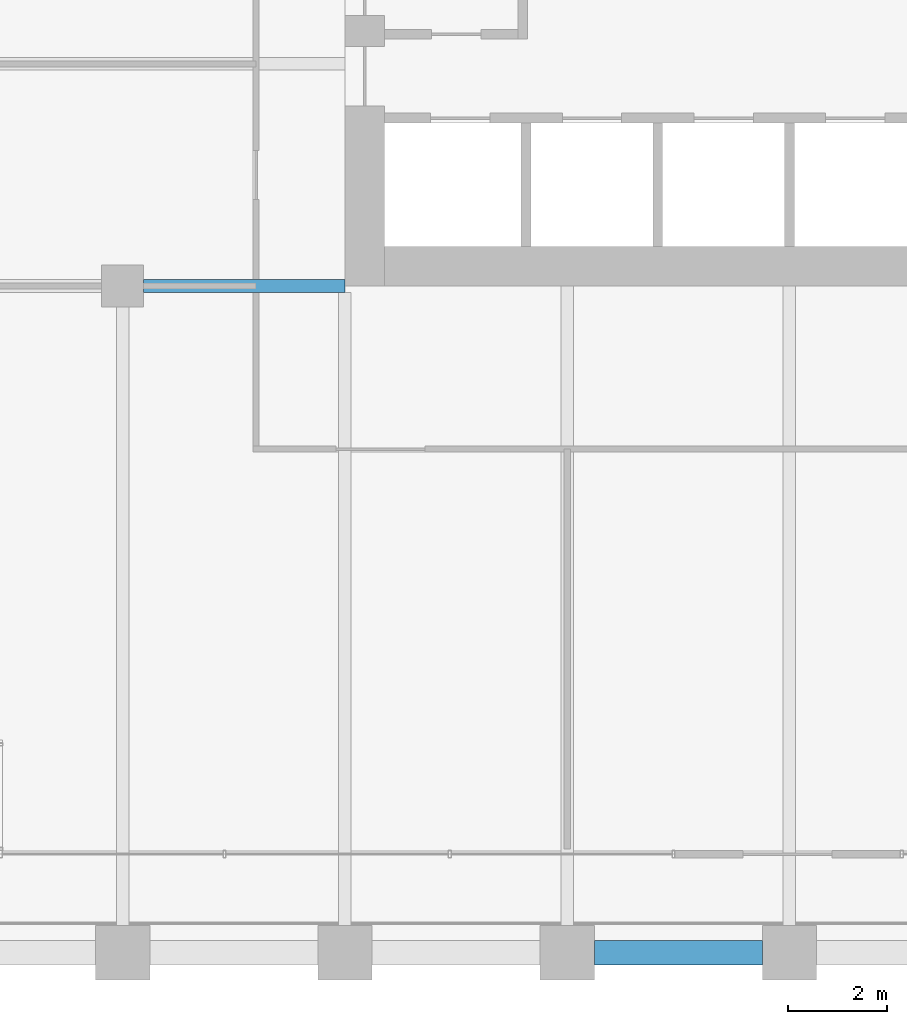
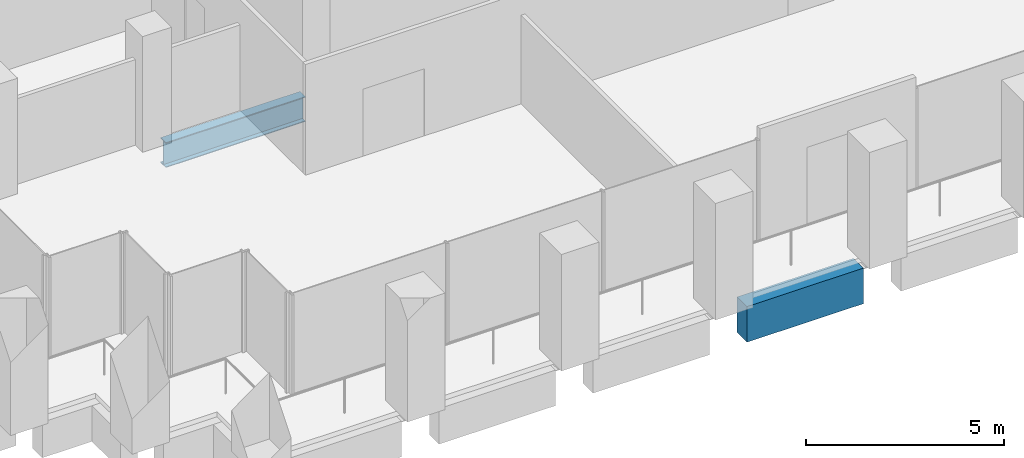
# One storey, part 6 of 56: 2 beams.
"""IFC4 building model written with IfcOpenShell, lengths in metres."""

from ifc_helpers import new_model, si_unit, direction, frame, origin, origin_2d, place, context, subcontext, project, spatial, rectangle, i_section, extrude, material, material_profile, profile_set, type_object, element, save


model = new_model("IFC4")

# Units and contexts
model_context = context("Model", 3, precision=1e-05, world=origin(), true_north=direction((0.0, 1.0)))
body_context = subcontext(model_context, "Body", "Model", "MODEL_VIEW")
ifc_project = project(units=[si_unit("LENGTHUNIT", "METRE"), si_unit("AREAUNIT", "SQUARE_METRE"), si_unit("VOLUMEUNIT", "CUBIC_METRE"), si_unit("PLANEANGLEUNIT", "RADIAN"), si_unit("MASSUNIT", "GRAM", prefix="KILO")], contexts=[model_context])

# Site, building, storey
site_placement = place(None, origin())
site = spatial("IfcSite", under=ifc_project, at=site_placement, CompositionType="ELEMENT")
building_placement = place(site_placement, origin())
building = spatial("IfcBuilding", under=site, at=building_placement, Name="Altepetl Exchange Towers", CompositionType="ELEMENT")
storey_placement = place(building_placement, frame((0.0, 0.0, 79.800048828125)))
storey = spatial("IfcBuildingStorey", under=building, at=storey_placement, Name="L19", CompositionType="ELEMENT", Elevation=79.800048828125)

# Beams
ifc_material_1 = material(Name="Steel S355", Category="steel")
ifc_material_profile_1 = material_profile(ifc_material_1, i_section(OverallWidth=0.26806640625, OverallDepth=0.77392578125, WebThickness=0.015380859375, FlangeThickness=0.025390625, at=origin_2d()), Name="W30X132")
ifc_profile_set_1 = profile_set([ifc_material_profile_1], Name="Steel S355")
beam_type_1 = type_object("IfcBeamType", Name="Girder W30X132", PredefinedType="BEAM", material=ifc_profile_set_1)
beam_1_placement = place(storey_placement, frame((40.5, 40.5, -0.537109375), z_axis=(-1.0, 0.0, 0.0), x_axis=(0.0, -1.0, 0.0)))
element("IfcBeam", 1, at=beam_1_placement, inside=storey, type_object=beam_type_1, Name="gd:A:L19:009", PredefinedType="BEAM", context=body_context, shape_type="SweptSolid", body=[
    extrude(i_section(OverallWidth=0.26806640625, OverallDepth=0.77392578125, WebThickness=0.015380859375, FlangeThickness=0.025390625, at=origin_2d()), origin(), (0.0, 0.0, 1.0), 4.074951171875),
])
ifc_material_2 = material(Name="Concrete C50/60 precast with cantera blanca facing", Category="concrete")
ifc_material_profile_2 = material_profile(ifc_material_2, rectangle(XDim=0.5, YDim=1.10009765625, at=origin_2d()), Name="500 x 1100")
ifc_profile_set_2 = profile_set([ifc_material_profile_2], Name="Concrete C50/60 precast with cantera blanca facing")
beam_type_2 = type_object("IfcBeamType", Name="Spandrel beam 500x1100 cantera blanca", PredefinedType="SPANDREL", material=ifc_profile_set_2)
beam_2_placement = place(storey_placement, frame((45.550048828125, 27.0, -0.699951171875), z_axis=(1.0, 0.0, 0.0), x_axis=(0.0, 1.0, 0.0)))
element("IfcBeam", 2, at=beam_2_placement, inside=storey, type_object=beam_type_2, Name="sp:A:L19:003", PredefinedType="SPANDREL", context=body_context, shape_type="SweptSolid", body=[
    extrude(rectangle(XDim=0.5, YDim=1.10009765625, at=origin_2d()), origin(), (0.0, 0.0, 1.0), 3.39990234375),
])

save(model, "model.ifc")
